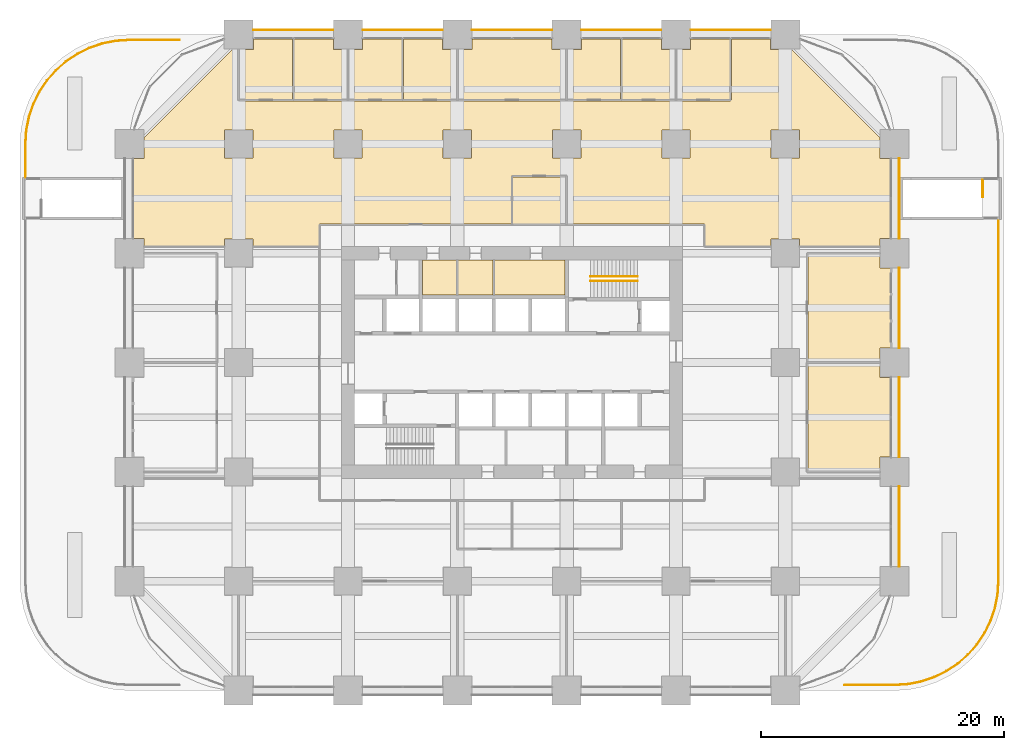
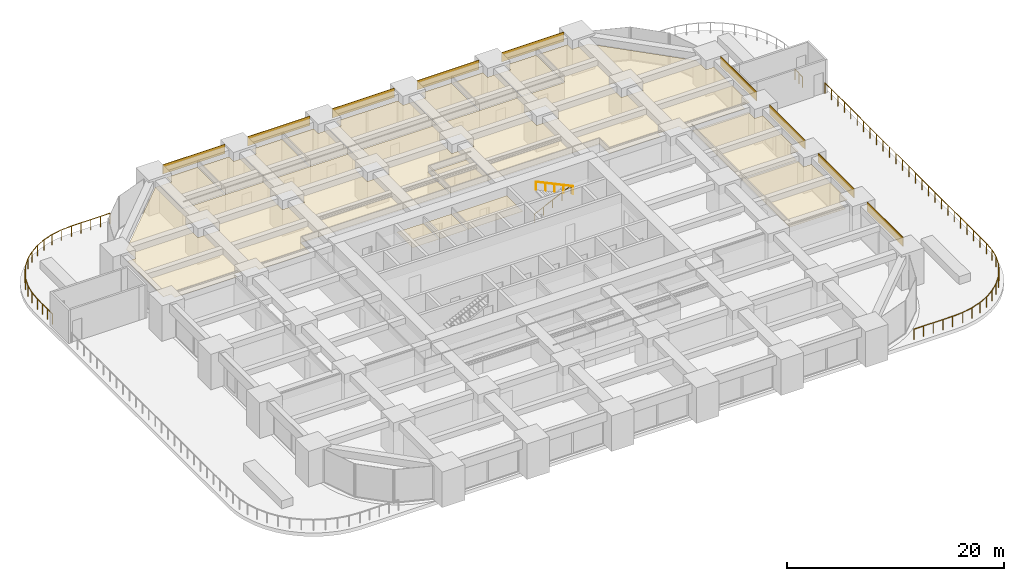
# One storey, part 37 of 38: 24 coverings, 6 railings.
"""IFC4 building model written with IfcOpenShell, lengths in metres."""

from ifc_helpers import new_model, si_unit, direction, frame, frame_2d, origin, origin_2d, place, context, subcontext, project, spatial, polyline, rectangle, circle, outline, extrude, material, layer, layer_set, type_object, element, save


model = new_model("IFC4")

# Units and contexts
model_context = context("Model", 3, precision=1e-05, world=origin(), true_north=direction((0.0, 1.0)))
body_context = subcontext(model_context, "Body", "Model", "MODEL_VIEW")
ifc_project = project(units=[si_unit("LENGTHUNIT", "METRE"), si_unit("AREAUNIT", "SQUARE_METRE"), si_unit("VOLUMEUNIT", "CUBIC_METRE"), si_unit("PLANEANGLEUNIT", "RADIAN"), si_unit("MASSUNIT", "GRAM", prefix="KILO")], contexts=[model_context])

# Site, building, storey
site_placement = place(None, origin())
site = spatial("IfcSite", under=ifc_project, at=site_placement, CompositionType="ELEMENT")
building_placement = place(site_placement, origin())
building = spatial("IfcBuilding", under=site, at=building_placement, Name="Zorevar Civic Tower", CompositionType="ELEMENT")
storey_placement = place(building_placement, frame((0.0, 0.0, 15.800048828125)))
storey = spatial("IfcBuildingStorey", under=building, at=storey_placement, Name="L03", CompositionType="ELEMENT", Elevation=15.800048828125)

# Railings
ifc_material_1 = material(Name="Black steel posts and laminated glass", Category="steel")
railing_type_1 = type_object("IfcRailingType", Name="Guard GR1 1200", PredefinedType="GUARDRAIL", material=ifc_material_1)
railing_1_placement = place(storey_placement, frame((-8.550048828125, 42.22509765625, 0.0)))
element("IfcRailing", 1, at=railing_1_placement, inside=storey, type_object=railing_type_1, Name="Guard GR1 L03", PredefinedType="GUARDRAIL", context=body_context, shape_type="SweptSolid", body=[
    extrude(circle(Radius=0.02392578125, at=origin_2d()), frame((0.0, 0.0, 1.17578125), z_axis=(0.0, 1.0, 0.0), x_axis=(-1.0, 0.0, 0.0)), (0.0, 0.0, 1.0), 2.76025390625),
    extrude(circle(Radius=0.02392578125, at=origin_2d()), frame((0.0, 2.76025390625, 1.17578125), z_axis=(0.065503586587, 0.997852333837, 0.0), x_axis=(-0.997852333837, 0.065503586587, 0.0)), (0.0, 0.0, 1.0), 1.133056640625),
    extrude(circle(Radius=0.02392578125, at=origin_2d()), frame((0.07421875, 3.890869140625, 1.17578125), z_axis=(0.194982288456, 0.980806763429, 0.0), x_axis=(-0.980806763429, 0.194982288456, 0.0)), (0.0, 0.0, 1.0), 1.1181640625),
    extrude(circle(Radius=0.02392578125, at=origin_2d()), frame((0.292236328125, 4.987548828125, 1.17578125), z_axis=(0.321593506374, 0.946877825624, 0.0), x_axis=(-0.946877825624, 0.321593506374, 0.0)), (0.0, 0.0, 1.0), 1.1181640625),
    extrude(circle(Radius=0.02392578125, at=origin_2d()), frame((0.65185546875, 6.04638671875, 1.17578125), z_axis=(0.442316540366, 0.896859006823, 0.0), x_axis=(-0.896859006823, 0.442316540366, 0.0)), (0.0, 0.0, 1.0), 1.1181640625),
    extrude(circle(Radius=0.02392578125, at=origin_2d()), frame((1.146484375, 7.04931640625, 1.17578125), z_axis=(0.555405337512, 0.831579768311, 0.0), x_axis=(-0.831579768311, 0.555405337512, 0.0)), (0.0, 0.0, 1.0), 1.1181640625),
    extrude(circle(Radius=0.02392578125, at=origin_2d()), frame((1.767578125, 7.979248046875, 1.17578125), z_axis=(0.659307936578, 0.751873024363, 0.0), x_axis=(-0.751873024363, 0.659307936578, 0.0)), (0.0, 0.0, 1.0), 1.118408203125),
    extrude(circle(Radius=0.02392578125, at=origin_2d()), frame((2.5048828125, 8.820068359375, 1.17578125), z_axis=(0.751873024363, 0.659307936578, 0.0), x_axis=(-0.659307936578, 0.751873024363, 0.0)), (0.0, 0.0, 1.0), 1.118408203125),
    extrude(circle(Radius=0.02392578125, at=origin_2d()), frame((3.345703125, 9.557373046875, 1.17578125), z_axis=(0.831579768311, 0.555405337512, 0.0), x_axis=(-0.555405337512, 0.831579768311, 0.0)), (0.0, 0.0, 1.0), 1.1181640625),
    extrude(circle(Radius=0.02392578125, at=origin_2d()), frame((4.275634765625, 10.178466796875, 1.17578125), z_axis=(0.896859006823, 0.442316540366, 0.0), x_axis=(-0.442316540366, 0.896859006823, 0.0)), (0.0, 0.0, 1.0), 1.1181640625),
    extrude(circle(Radius=0.02392578125, at=origin_2d()), frame((5.278564453125, 10.673095703125, 1.17578125), z_axis=(0.946877825624, 0.321593506374, 0.0), x_axis=(-0.321593506374, 0.946877825624, 0.0)), (0.0, 0.0, 1.0), 1.1181640625),
    extrude(circle(Radius=0.02392578125, at=origin_2d()), frame((6.33740234375, 11.03271484375, 1.17578125), z_axis=(0.980806763429, 0.194982288456, 0.0), x_axis=(-0.194982288456, 0.980806763429, 0.0)), (0.0, 0.0, 1.0), 1.1181640625),
    extrude(circle(Radius=0.02392578125, at=origin_2d()), frame((7.43408203125, 11.250732421875, 1.17578125), z_axis=(0.997852333837, 0.065503586587, 0.0), x_axis=(-0.065503586587, 0.997852333837, 0.0)), (0.0, 0.0, 1.0), 1.133056640625),
    extrude(circle(Radius=0.02392578125, at=origin_2d()), frame((8.564697265625, 11.324951171875, 1.17578125), z_axis=(1.0, 0.0, 0.0), x_axis=(0.0, 1.0, 0.0)), (0.0, 0.0, 1.0), 4.09619140625),
    extrude(circle(Radius=0.02099609375, at=origin_2d()), origin(), (0.0, 0.0, 1.0), 1.15185546875),
    extrude(circle(Radius=0.02099609375, at=origin_2d()), frame((0.0, 0.920166015625, 0.0)), (0.0, 0.0, 1.0), 1.15185546875),
    extrude(circle(Radius=0.02099609375, at=origin_2d()), frame((0.0, 1.840087890625, 0.0)), (0.0, 0.0, 1.0), 1.15185546875),
    extrude(circle(Radius=0.02099609375, at=origin_2d()), frame((0.0, 2.76025390625, 0.0)), (0.0, 0.0, 1.0), 1.15185546875),
    extrude(circle(Radius=0.02099609375, at=origin_2d()), frame((0.07421875, 3.890869140625, 0.0)), (0.0, 0.0, 1.0), 1.15185546875),
    extrude(circle(Radius=0.02099609375, at=origin_2d()), frame((0.292236328125, 4.987548828125, 0.0)), (0.0, 0.0, 1.0), 1.15185546875),
    extrude(circle(Radius=0.02099609375, at=origin_2d()), frame((0.65185546875, 6.04638671875, 0.0)), (0.0, 0.0, 1.0), 1.15185546875),
    extrude(circle(Radius=0.02099609375, at=origin_2d()), frame((1.146484375, 7.04931640625, 0.0)), (0.0, 0.0, 1.0), 1.15185546875),
    extrude(circle(Radius=0.02099609375, at=origin_2d()), frame((1.767578125, 7.979248046875, 0.0)), (0.0, 0.0, 1.0), 1.15185546875),
    extrude(circle(Radius=0.02099609375, at=origin_2d()), frame((2.5048828125, 8.820068359375, 0.0)), (0.0, 0.0, 1.0), 1.15185546875),
    extrude(circle(Radius=0.02099609375, at=origin_2d()), frame((3.345703125, 9.557373046875, 0.0)), (0.0, 0.0, 1.0), 1.15185546875),
    extrude(circle(Radius=0.02099609375, at=origin_2d()), frame((4.275634765625, 10.178466796875, 0.0)), (0.0, 0.0, 1.0), 1.15185546875),
    extrude(circle(Radius=0.02099609375, at=origin_2d()), frame((5.278564453125, 10.673095703125, 0.0)), (0.0, 0.0, 1.0), 1.15185546875),
    extrude(circle(Radius=0.02099609375, at=origin_2d()), frame((6.33740234375, 11.03271484375, 0.0)), (0.0, 0.0, 1.0), 1.15185546875),
    extrude(circle(Radius=0.02099609375, at=origin_2d()), frame((7.43408203125, 11.250732421875, 0.0)), (0.0, 0.0, 1.0), 1.15185546875),
    extrude(circle(Radius=0.02099609375, at=origin_2d()), frame((8.564697265625, 11.324951171875, 0.0)), (0.0, 0.0, 1.0), 1.15185546875),
    extrude(circle(Radius=0.02099609375, at=origin_2d()), frame((9.5888671875, 11.324951171875, 0.0)), (0.0, 0.0, 1.0), 1.15185546875),
    extrude(circle(Radius=0.02099609375, at=origin_2d()), frame((10.61279296875, 11.324951171875, 0.0)), (0.0, 0.0, 1.0), 1.15185546875),
    extrude(circle(Radius=0.02099609375, at=origin_2d()), frame((11.63671875, 11.324951171875, 0.0)), (0.0, 0.0, 1.0), 1.15185546875),
    extrude(circle(Radius=0.02099609375, at=origin_2d()), frame((12.660888671875, 11.324951171875, 0.0)), (0.0, 0.0, 1.0), 1.15185546875),
])
railing_2_placement = place(storey_placement, frame((71.550048828125, 38.77490234375, 0.0)))
element("IfcRailing", 2, at=railing_2_placement, inside=storey, type_object=railing_type_1, Name="Guard GR1 L03", PredefinedType="GUARDRAIL", context=body_context, shape_type="SweptSolid", body=[
    extrude(circle(Radius=0.02392578125, at=origin_2d()), frame((0.0, 0.0, 1.17578125), z_axis=(0.0, -1.0, 0.0), x_axis=(1.0, 0.0, 0.0)), (0.0, 0.0, 1.0), 29.76025390625),
    extrude(circle(Radius=0.02392578125, at=origin_2d()), frame((0.0, -29.76025390625, 1.17578125), z_axis=(-0.065503586587, -0.997852333837, 0.0), x_axis=(0.997852333837, -0.065503586587, 0.0)), (0.0, 0.0, 1.0), 1.133056640625),
    extrude(circle(Radius=0.02099609375, at=origin_2d()), origin(), (0.0, 0.0, 1.0), 1.15185546875),
    extrude(circle(Radius=0.02099609375, at=origin_2d()), frame((0.0, -1.1904296875, 0.0)), (0.0, 0.0, 1.0), 1.15185546875),
    extrude(circle(Radius=0.02099609375, at=origin_2d()), frame((0.0, -2.380859375, 0.0)), (0.0, 0.0, 1.0), 1.15185546875),
    extrude(circle(Radius=0.02099609375, at=origin_2d()), frame((0.0, -3.5712890625, 0.0)), (0.0, 0.0, 1.0), 1.15185546875),
    extrude(circle(Radius=0.02099609375, at=origin_2d()), frame((0.0, -4.76171875, 0.0)), (0.0, 0.0, 1.0), 1.15185546875),
    extrude(circle(Radius=0.02099609375, at=origin_2d()), frame((0.0, -5.9521484375, 0.0)), (0.0, 0.0, 1.0), 1.15185546875),
    extrude(circle(Radius=0.02099609375, at=origin_2d()), frame((0.0, -7.142578125, 0.0)), (0.0, 0.0, 1.0), 1.15185546875),
    extrude(circle(Radius=0.02099609375, at=origin_2d()), frame((0.0, -8.332763671875, 0.0)), (0.0, 0.0, 1.0), 1.15185546875),
    extrude(circle(Radius=0.02099609375, at=origin_2d()), frame((0.0, -9.523193359375, 0.0)), (0.0, 0.0, 1.0), 1.15185546875),
    extrude(circle(Radius=0.02099609375, at=origin_2d()), frame((0.0, -10.713623046875, 0.0)), (0.0, 0.0, 1.0), 1.15185546875),
    extrude(circle(Radius=0.02099609375, at=origin_2d()), frame((0.0, -11.904052734375, 0.0)), (0.0, 0.0, 1.0), 1.15185546875),
    extrude(circle(Radius=0.02099609375, at=origin_2d()), frame((0.0, -13.094482421875, 0.0)), (0.0, 0.0, 1.0), 1.15185546875),
    extrude(circle(Radius=0.02099609375, at=origin_2d()), frame((0.0, -14.284912109375, 0.0)), (0.0, 0.0, 1.0), 1.15185546875),
    extrude(circle(Radius=0.02099609375, at=origin_2d()), frame((0.0, -15.475341796875, 0.0)), (0.0, 0.0, 1.0), 1.15185546875),
    extrude(circle(Radius=0.02099609375, at=origin_2d()), frame((0.0, -16.665771484375, 0.0)), (0.0, 0.0, 1.0), 1.15185546875),
    extrude(circle(Radius=0.02099609375, at=origin_2d()), frame((0.0, -17.856201171875, 0.0)), (0.0, 0.0, 1.0), 1.15185546875),
    extrude(circle(Radius=0.02099609375, at=origin_2d()), frame((0.0, -19.046630859375, 0.0)), (0.0, 0.0, 1.0), 1.15185546875),
    extrude(circle(Radius=0.02099609375, at=origin_2d()), frame((0.0, -20.237060546875, 0.0)), (0.0, 0.0, 1.0), 1.15185546875),
    extrude(circle(Radius=0.02099609375, at=origin_2d()), frame((0.0, -21.427490234375, 0.0)), (0.0, 0.0, 1.0), 1.15185546875),
    extrude(circle(Radius=0.02099609375, at=origin_2d()), frame((0.0, -22.61767578125, 0.0)), (0.0, 0.0, 1.0), 1.15185546875),
    extrude(circle(Radius=0.02099609375, at=origin_2d()), frame((0.0, -23.80810546875, 0.0)), (0.0, 0.0, 1.0), 1.15185546875),
    extrude(circle(Radius=0.02099609375, at=origin_2d()), frame((0.0, -24.99853515625, 0.0)), (0.0, 0.0, 1.0), 1.15185546875),
    extrude(circle(Radius=0.02099609375, at=origin_2d()), frame((0.0, -26.18896484375, 0.0)), (0.0, 0.0, 1.0), 1.15185546875),
    extrude(circle(Radius=0.02099609375, at=origin_2d()), frame((0.0, -27.37939453125, 0.0)), (0.0, 0.0, 1.0), 1.15185546875),
    extrude(circle(Radius=0.02099609375, at=origin_2d()), frame((0.0, -28.56982421875, 0.0)), (0.0, 0.0, 1.0), 1.15185546875),
    extrude(circle(Radius=0.02099609375, at=origin_2d()), frame((0.0, -29.76025390625, 0.0)), (0.0, 0.0, 1.0), 1.15185546875),
    extrude(circle(Radius=0.02099609375, at=origin_2d()), frame((-0.07421875, -30.890869140625, 0.0)), (0.0, 0.0, 1.0), 1.15185546875),
])
railing_3_placement = place(storey_placement, frame((71.475830078125, 7.884033203125, 0.0)))
element("IfcRailing", 3, at=railing_3_placement, inside=storey, type_object=railing_type_1, Name="Guard GR1 L03", PredefinedType="GUARDRAIL", context=body_context, shape_type="SweptSolid", body=[
    extrude(circle(Radius=0.02392578125, at=origin_2d()), frame((0.0, 0.0, 1.17578125), z_axis=(-0.194982288456, -0.980806763429, 0.0), x_axis=(0.980806763429, -0.194982288456, 0.0)), (0.0, 0.0, 1.0), 1.1181640625),
    extrude(circle(Radius=0.02392578125, at=origin_2d()), frame((-0.218017578125, -1.0966796875, 1.17578125), z_axis=(-0.321593506374, -0.946877825624, 0.0), x_axis=(0.946877825624, -0.321593506374, 0.0)), (0.0, 0.0, 1.0), 1.1181640625),
    extrude(circle(Radius=0.02392578125, at=origin_2d()), frame((-0.57763671875, -2.155517578125, 1.17578125), z_axis=(-0.442316540366, -0.896859006823, 0.0), x_axis=(0.896859006823, -0.442316540366, 0.0)), (0.0, 0.0, 1.0), 1.1181640625),
    extrude(circle(Radius=0.02392578125, at=origin_2d()), frame((-1.072265625, -3.158447265625, 1.17578125), z_axis=(-0.555405337512, -0.831579768311, 0.0), x_axis=(0.831579768311, -0.555405337512, 0.0)), (0.0, 0.0, 1.0), 1.1181640625),
    extrude(circle(Radius=0.02392578125, at=origin_2d()), frame((-1.693359375, -4.08837890625, 1.17578125), z_axis=(-0.659307936578, -0.751873024363, 0.0), x_axis=(0.751873024363, -0.659307936578, 0.0)), (0.0, 0.0, 1.0), 1.118408203125),
    extrude(circle(Radius=0.02392578125, at=origin_2d()), frame((-2.4306640625, -4.92919921875, 1.17578125), z_axis=(-0.751873024363, -0.659307936578, 0.0), x_axis=(0.659307936578, -0.751873024363, 0.0)), (0.0, 0.0, 1.0), 1.118408203125),
    extrude(circle(Radius=0.02392578125, at=origin_2d()), frame((-3.271484375, -5.66650390625, 1.17578125), z_axis=(-0.831579768311, -0.555405337512, 0.0), x_axis=(0.555405337512, -0.831579768311, 0.0)), (0.0, 0.0, 1.0), 1.1181640625),
    extrude(circle(Radius=0.02392578125, at=origin_2d()), frame((-4.201416015625, -6.28759765625, 1.17578125), z_axis=(-0.896859006823, -0.442316540366, 0.0), x_axis=(0.442316540366, -0.896859006823, 0.0)), (0.0, 0.0, 1.0), 1.1181640625),
    extrude(circle(Radius=0.02392578125, at=origin_2d()), frame((-5.204345703125, -6.7822265625, 1.17578125), z_axis=(-0.946877825624, -0.321593506374, 0.0), x_axis=(0.321593506374, -0.946877825624, 0.0)), (0.0, 0.0, 1.0), 1.1181640625),
    extrude(circle(Radius=0.02392578125, at=origin_2d()), frame((-6.26318359375, -7.141845703125, 1.17578125), z_axis=(-0.980806763429, -0.194982288456, 0.0), x_axis=(0.194982288456, -0.980806763429, 0.0)), (0.0, 0.0, 1.0), 1.1181640625),
    extrude(circle(Radius=0.02392578125, at=origin_2d()), frame((-7.35986328125, -7.35986328125, 1.17578125), z_axis=(-0.997852333837, -0.065503586587, 0.0), x_axis=(0.065503586587, -0.997852333837, 0.0)), (0.0, 0.0, 1.0), 1.133056640625),
    extrude(circle(Radius=0.02392578125, at=origin_2d()), frame((-8.490478515625, -7.43408203125, 1.17578125), z_axis=(-1.0, 0.0, 0.0), x_axis=(0.0, -1.0, 0.0)), (0.0, 0.0, 1.0), 4.09619140625),
    extrude(circle(Radius=0.02099609375, at=origin_2d()), origin(), (0.0, 0.0, 1.0), 1.15185546875),
    extrude(circle(Radius=0.02099609375, at=origin_2d()), frame((-0.218017578125, -1.0966796875, 0.0)), (0.0, 0.0, 1.0), 1.15185546875),
    extrude(circle(Radius=0.02099609375, at=origin_2d()), frame((-0.57763671875, -2.155517578125, 0.0)), (0.0, 0.0, 1.0), 1.15185546875),
    extrude(circle(Radius=0.02099609375, at=origin_2d()), frame((-1.072265625, -3.158447265625, 0.0)), (0.0, 0.0, 1.0), 1.15185546875),
    extrude(circle(Radius=0.02099609375, at=origin_2d()), frame((-1.693359375, -4.08837890625, 0.0)), (0.0, 0.0, 1.0), 1.15185546875),
    extrude(circle(Radius=0.02099609375, at=origin_2d()), frame((-2.4306640625, -4.92919921875, 0.0)), (0.0, 0.0, 1.0), 1.15185546875),
    extrude(circle(Radius=0.02099609375, at=origin_2d()), frame((-3.271484375, -5.66650390625, 0.0)), (0.0, 0.0, 1.0), 1.15185546875),
    extrude(circle(Radius=0.02099609375, at=origin_2d()), frame((-4.201416015625, -6.28759765625, 0.0)), (0.0, 0.0, 1.0), 1.15185546875),
    extrude(circle(Radius=0.02099609375, at=origin_2d()), frame((-5.204345703125, -6.7822265625, 0.0)), (0.0, 0.0, 1.0), 1.15185546875),
    extrude(circle(Radius=0.02099609375, at=origin_2d()), frame((-6.26318359375, -7.141845703125, 0.0)), (0.0, 0.0, 1.0), 1.15185546875),
    extrude(circle(Radius=0.02099609375, at=origin_2d()), frame((-7.35986328125, -7.35986328125, 0.0)), (0.0, 0.0, 1.0), 1.15185546875),
    extrude(circle(Radius=0.02099609375, at=origin_2d()), frame((-8.490478515625, -7.43408203125, 0.0)), (0.0, 0.0, 1.0), 1.15185546875),
    extrude(circle(Radius=0.02099609375, at=origin_2d()), frame((-9.5146484375, -7.43408203125, 0.0)), (0.0, 0.0, 1.0), 1.15185546875),
    extrude(circle(Radius=0.02099609375, at=origin_2d()), frame((-10.53857421875, -7.43408203125, 0.0)), (0.0, 0.0, 1.0), 1.15185546875),
    extrude(circle(Radius=0.02099609375, at=origin_2d()), frame((-11.5625, -7.43408203125, 0.0)), (0.0, 0.0, 1.0), 1.15185546875),
    extrude(circle(Radius=0.02099609375, at=origin_2d()), frame((-12.586669921875, -7.43408203125, 0.0)), (0.0, 0.0, 1.0), 1.15185546875),
])
ifc_material_2 = material(Name="Black steel handrail", Category="steel")
railing_type_2 = type_object("IfcRailingType", Name="Handrail HR1 900", PredefinedType="HANDRAIL", material=ifc_material_2)
railing_4_placement = place(storey_placement, frame((37.949951171875, 34.074951171875, 0.142822265625)))
element("IfcRailing", 4, at=railing_4_placement, inside=storey, type_object=railing_type_2, Name="Handrail HR1 ST2 L03", PredefinedType="HANDRAIL", context=body_context, shape_type="SweptSolid", body=[
    extrude(circle(Radius=0.02392578125, at=origin_2d()), frame((0.0, 0.0, 0.8759765625), z_axis=(0.902863652845, 0.0, 0.429926998885), x_axis=(0.0, 1.0, 0.0)), (0.0, 0.0, 1.0), 4.31982421875),
    extrude(circle(Radius=0.02099609375, at=origin_2d()), origin(), (0.0, 0.0, 1.0), 0.851806640625),
    extrude(circle(Radius=0.02099609375, at=origin_2d()), frame((0.97509765625, 0.0, 0.46435546875)), (0.0, 0.0, 1.0), 0.851806640625),
    extrude(circle(Radius=0.02099609375, at=origin_2d()), frame((1.9501953125, 0.0, 0.9287109375)), (0.0, 0.0, 1.0), 0.851806640625),
    extrude(circle(Radius=0.02099609375, at=origin_2d()), frame((2.925048828125, 0.0, 1.392822265625)), (0.0, 0.0, 1.0), 0.851806640625),
    extrude(circle(Radius=0.02099609375, at=origin_2d()), frame((3.900146484375, 0.0, 1.857177734375)), (0.0, 0.0, 1.0), 0.851806640625),
])
railing_5_placement = place(storey_placement, frame((41.85009765625, 33.72509765625, 2.142822265625)))
element("IfcRailing", 5, at=railing_5_placement, inside=storey, type_object=railing_type_2, Name="Handrail HR1 ST2 L03", PredefinedType="HANDRAIL", context=body_context, shape_type="SweptSolid", body=[
    extrude(circle(Radius=0.02392578125, at=origin_2d()), frame((0.0, 0.0, 0.8759765625), z_axis=(-0.902863652845, 0.0, 0.429926998885), x_axis=(0.0, -1.0, 0.0)), (0.0, 0.0, 1.0), 4.31982421875),
    extrude(circle(Radius=0.02099609375, at=origin_2d()), origin(), (0.0, 0.0, 1.0), 0.851806640625),
    extrude(circle(Radius=0.02099609375, at=origin_2d()), frame((-0.97509765625, 0.0, 0.46435546875)), (0.0, 0.0, 1.0), 0.851806640625),
    extrude(circle(Radius=0.02099609375, at=origin_2d()), frame((-1.9501953125, 0.0, 0.9287109375)), (0.0, 0.0, 1.0), 0.851806640625),
    extrude(circle(Radius=0.02099609375, at=origin_2d()), frame((-2.925048828125, 0.0, 1.392822265625)), (0.0, 0.0, 1.0), 0.851806640625),
    extrude(circle(Radius=0.02099609375, at=origin_2d()), frame((-3.900146484375, 0.0, 1.857177734375)), (0.0, 0.0, 1.0), 0.851806640625),
])

# Coverings
ifc_material_3 = material(Name="Moisture-resistant gypsum board")
ifc_layer_1 = layer(ifc_material_3, 0.012451171875)
ifc_layer_set_1 = layer_set([ifc_layer_1], Name="Moisture-resistant ceiling SC3")
covering_type_1 = type_object("IfcCoveringType", Name="Moisture-resistant ceiling SC3", PredefinedType="CEILING", material=ifc_layer_set_1)
covering_1_placement = place(storey_placement, frame((0.0, 0.0, 3.0)))
element("IfcCovering", 6, at=covering_1_placement, inside=storey, type_object=covering_type_1, Name="Ceiling L03-10", PredefinedType="CEILING", context=body_context, shape_type="SweptSolid", body=[
    extrude(outline(polyline([(26.925048828125, 32.550048828125), (26.925048828125, 35.449951171875), (24.14990234375, 35.449951171875), (24.14990234375, 32.550048828125), (26.925048828125, 32.550048828125)])), origin(), (0.0, 0.0, 1.0), 0.012451171875),
])
ifc_material_4 = material(Name="Black anodised aluminium spandrel panel", Category="aluminium")
ifc_layer_2 = layer(ifc_material_4, 0.050048828125)
ifc_layer_set_2 = layer_set([ifc_layer_2], Name="Spandrel cladding SP1")
covering_type_2 = type_object("IfcCoveringType", Name="Spandrel cladding SP1", PredefinedType="CLADDING", material=ifc_layer_set_2)
for number, where, z_axis, x_axis, name in (
    (7, (10.199951171875, 54.375, 2.949951171875), (0.0, 0.0, 1.0), (1.0, 0.0, 0.0), "Spandrel cladding L04"),
    (8, (19.199951171875, 54.375, 2.949951171875), (0.0, 0.0, 1.0), (1.0, 0.0, 0.0), "Spandrel cladding L04"),
    (9, (28.199951171875, 54.375, 2.949951171875), (0.0, 0.0, 1.0), (1.0, 0.0, 0.0), "Spandrel cladding L04"),
    (10, (37.199951171875, 54.375, 2.949951171875), (0.0, 0.0, 1.0), (1.0, 0.0, 0.0), "Spandrel cladding L04"),
    (11, (46.199951171875, 54.375, 2.949951171875), (0.0, 0.0, 1.0), (1.0, 0.0, 0.0), "Spandrel cladding L04"),
    (12, (63.375, 10.199951171875, 2.949951171875), (0.0, 0.0, 1.0), (0.0, 1.0, 0.0), "Spandrel cladding L04"),
    (13, (63.375, 19.199951171875, 2.949951171875), (0.0, 0.0, 1.0), (0.0, 1.0, 0.0), "Spandrel cladding L04"),
    (14, (63.375, 28.199951171875, 2.949951171875), (0.0, 0.0, 1.0), (0.0, 1.0, 0.0), "Spandrel cladding L04"),
    (15, (63.375, 37.199951171875, 2.949951171875), (0.0, 0.0, 1.0), (0.0, 1.0, 0.0), "Spandrel cladding L04"),
):
    element("IfcCovering", number, at=place(storey_placement, frame(where, z_axis=z_axis, x_axis=x_axis)), inside=storey, type_object=covering_type_2, Name=name, PredefinedType="CLADDING", context=body_context, shape_type="SweptSolid", body=[
        extrude(rectangle(XDim=6.60009765625, YDim=0.050048828125, at=frame_2d((3.300048828125, 0.0))), origin(), (0.0, 0.0, 1.0), 1.050048828125),
    ])

# Railing
ifc_material_5 = material(Name="Black steel guard with infill bars", Category="steel")
railing_type_3 = type_object("IfcRailingType", Name="Stair guard GR2 1200", PredefinedType="GUARDRAIL", material=ifc_material_5)
railing_6_placement = place(storey_placement, frame((70.25, 42.02490234375, 0.0)))
element("IfcRailing", 16, at=railing_6_placement, inside=storey, type_object=railing_type_3, Name="Stair guard PS2 L03", PredefinedType="GUARDRAIL", context=body_context, shape_type="SweptSolid", body=[
    extrude(circle(Radius=0.02392578125, at=origin_2d()), frame((0.0, 0.0, 1.17578125), z_axis=(0.0, -1.0, 0.0), x_axis=(1.0, 0.0, 0.0)), (0.0, 0.0, 1.0), 1.39990234375),
    extrude(circle(Radius=0.02099609375, at=origin_2d()), origin(), (0.0, 0.0, 1.0), 1.15185546875),
    extrude(circle(Radius=0.02099609375, at=origin_2d()), frame((0.0, -0.699951171875, 0.0)), (0.0, 0.0, 1.0), 1.15185546875),
    extrude(circle(Radius=0.02099609375, at=origin_2d()), frame((0.0, -1.39990234375, 0.0)), (0.0, 0.0, 1.0), 1.15185546875),
])

# Coverings
ifc_material_6 = material(Name="Mineral fibre tiles on a concealed grid")
ifc_layer_3 = layer(ifc_material_6, 0.02001953125)
ifc_layer_set_3 = layer_set([ifc_layer_3], Name="Suspended ceiling SC1")
covering_type_3 = type_object("IfcCoveringType", Name="Suspended ceiling SC1", PredefinedType="CEILING", material=ifc_layer_set_3)
covering_2_placement = place(storey_placement, frame((0.0, 0.0, 3.0)))
element("IfcCovering", 17, at=covering_2_placement, inside=storey, type_object=covering_type_3, Name="Ceiling L03-08", PredefinedType="CEILING", context=body_context, shape_type="SweptSolid", body=[
    extrude(outline(polyline([(35.85009765625, 32.550048828125), (35.85009765625, 35.449951171875), (30.06005859375, 35.449951171875), (30.06005859375, 32.550048828125), (35.85009765625, 32.550048828125)])), origin(), (0.0, 0.0, 1.0), 0.02001953125),
])
covering_3_placement = place(storey_placement, frame((0.0, 0.0, 3.0)))
element("IfcCovering", 18, at=covering_3_placement, inside=storey, type_object=covering_type_3, Name="Ceiling L03-09", PredefinedType="CEILING", context=body_context, shape_type="SweptSolid", body=[
    extrude(outline(polyline([(29.93994140625, 32.550048828125), (29.93994140625, 35.449951171875), (27.074951171875, 35.449951171875), (27.074951171875, 32.550048828125), (29.93994140625, 32.550048828125)])), origin(), (0.0, 0.0, 1.0), 0.02001953125),
])
covering_4_placement = place(storey_placement, frame((0.0, 0.0, 3.0)))
element("IfcCovering", 19, at=covering_4_placement, inside=storey, type_object=covering_type_3, Name="Ceiling L03-21", PredefinedType="CEILING", context=body_context, shape_type="SweptSolid", body=[
    extrude(outline(polyline([(62.64990234375, 19.2099609375), (61.7900390625, 19.2099609375), (61.7900390625, 18.06005859375), (55.860107421875, 18.06005859375), (55.860107421875, 26.93994140625), (61.7900390625, 26.93994140625), (61.7900390625, 25.7900390625), (62.64990234375, 25.7900390625), (62.64990234375, 19.2099609375)])), origin(), (0.0, 0.0, 1.0), 0.02001953125),
])
covering_5_placement = place(storey_placement, frame((0.0, 0.0, 3.0)))
element("IfcCovering", 20, at=covering_5_placement, inside=storey, type_object=covering_type_3, Name="Ceiling L03-22", PredefinedType="CEILING", context=body_context, shape_type="SweptSolid", body=[
    extrude(outline(polyline([(62.64990234375, 28.2099609375), (61.7900390625, 28.2099609375), (61.7900390625, 27.06005859375), (55.85009765625, 27.06005859375), (55.85009765625, 35.949951171875), (61.7900390625, 35.949951171875), (61.7900390625, 34.7900390625), (62.64990234375, 34.7900390625), (62.64990234375, 28.2099609375)])), origin(), (0.0, 0.0, 1.0), 0.02001953125),
])
covering_6_placement = place(storey_placement, frame((0.0, 0.0, 3.0)))
element("IfcCovering", 21, at=covering_6_placement, inside=storey, type_object=covering_type_3, Name="Ceiling L03-25", PredefinedType="CEILING", context=body_context, shape_type="SweptSolid", body=[
    extrude(outline(polyline([(9.06005859375, 48.659912109375), (9.06005859375, 52.7900390625), (10.2099609375, 52.7900390625), (10.2099609375, 53.64990234375), (13.43994140625, 53.64990234375), (13.43994140625, 48.659912109375), (9.06005859375, 48.659912109375)])), origin(), (0.0, 0.0, 1.0), 0.02001953125),
])
covering_7_placement = place(storey_placement, frame((0.0, 0.0, 3.0)))
element("IfcCovering", 22, at=covering_7_placement, inside=storey, type_object=covering_type_3, Name="Ceiling L03-26", PredefinedType="CEILING", context=body_context, shape_type="SweptSolid", body=[
    extrude(outline(polyline([(13.56005859375, 48.659912109375), (13.56005859375, 53.64990234375), (16.7900390625, 53.64990234375), (16.7900390625, 52.7900390625), (17.93994140625, 52.7900390625), (17.93994140625, 48.659912109375), (13.56005859375, 48.659912109375)])), origin(), (0.0, 0.0, 1.0), 0.02001953125),
])
covering_8_placement = place(storey_placement, frame((0.0, 0.0, 3.0)))
element("IfcCovering", 23, at=covering_8_placement, inside=storey, type_object=covering_type_3, Name="Ceiling L03-27", PredefinedType="CEILING", context=body_context, shape_type="SweptSolid", body=[
    extrude(outline(polyline([(18.06005859375, 48.659912109375), (18.06005859375, 52.7900390625), (19.2099609375, 52.7900390625), (19.2099609375, 53.64990234375), (22.43994140625, 53.64990234375), (22.43994140625, 48.659912109375), (18.06005859375, 48.659912109375)])), origin(), (0.0, 0.0, 1.0), 0.02001953125),
])
covering_9_placement = place(storey_placement, frame((0.0, 0.0, 3.0)))
element("IfcCovering", 24, at=covering_9_placement, inside=storey, type_object=covering_type_3, Name="Ceiling L03-28", PredefinedType="CEILING", context=body_context, shape_type="SweptSolid", body=[
    extrude(outline(polyline([(22.56005859375, 48.659912109375), (22.56005859375, 53.64990234375), (25.7900390625, 53.64990234375), (25.7900390625, 52.7900390625), (26.93994140625, 52.7900390625), (26.93994140625, 48.659912109375), (22.56005859375, 48.659912109375)])), origin(), (0.0, 0.0, 1.0), 0.02001953125),
])
covering_10_placement = place(storey_placement, frame((0.0, 0.0, 3.0)))
element("IfcCovering", 25, at=covering_10_placement, inside=storey, type_object=covering_type_3, Name="Ceiling L03-29", PredefinedType="CEILING", context=body_context, shape_type="SweptSolid", body=[
    extrude(outline(polyline([(28.2099609375, 52.7900390625), (28.2099609375, 53.64990234375), (34.7900390625, 53.64990234375), (34.7900390625, 52.7900390625), (35.93994140625, 52.7900390625), (35.93994140625, 48.659912109375), (27.06005859375, 48.659912109375), (27.06005859375, 52.7900390625), (28.2099609375, 52.7900390625)])), origin(), (0.0, 0.0, 1.0), 0.02001953125),
])
covering_11_placement = place(storey_placement, frame((0.0, 0.0, 3.0)))
element("IfcCovering", 26, at=covering_11_placement, inside=storey, type_object=covering_type_3, Name="Ceiling L03-30", PredefinedType="CEILING", context=body_context, shape_type="SweptSolid", body=[
    extrude(outline(polyline([(36.06005859375, 48.659912109375), (36.06005859375, 52.7900390625), (37.2099609375, 52.7900390625), (37.2099609375, 53.64990234375), (40.43994140625, 53.64990234375), (40.43994140625, 48.659912109375), (36.06005859375, 48.659912109375)])), origin(), (0.0, 0.0, 1.0), 0.02001953125),
])
covering_12_placement = place(storey_placement, frame((0.0, 0.0, 3.0)))
element("IfcCovering", 27, at=covering_12_placement, inside=storey, type_object=covering_type_3, Name="Ceiling L03-31", PredefinedType="CEILING", context=body_context, shape_type="SweptSolid", body=[
    extrude(outline(polyline([(40.56005859375, 48.659912109375), (40.56005859375, 53.64990234375), (43.7900390625, 53.64990234375), (43.7900390625, 52.7900390625), (44.93994140625, 52.7900390625), (44.93994140625, 48.659912109375), (40.56005859375, 48.659912109375)])), origin(), (0.0, 0.0, 1.0), 0.02001953125),
])
covering_13_placement = place(storey_placement, frame((0.0, 0.0, 3.0)))
element("IfcCovering", 28, at=covering_13_placement, inside=storey, type_object=covering_type_3, Name="Ceiling L03-32", PredefinedType="CEILING", context=body_context, shape_type="SweptSolid", body=[
    extrude(outline(polyline([(45.06005859375, 48.659912109375), (45.06005859375, 52.7900390625), (46.2099609375, 52.7900390625), (46.2099609375, 53.64990234375), (49.43994140625, 53.64990234375), (49.43994140625, 48.659912109375), (45.06005859375, 48.659912109375)])), origin(), (0.0, 0.0, 1.0), 0.02001953125),
])
covering_14_placement = place(storey_placement, frame((0.0, 0.0, 3.0)))
element("IfcCovering", 29, at=covering_14_placement, inside=storey, type_object=covering_type_3, Name="Ceiling L03-33", PredefinedType="CEILING", context=body_context, shape_type="SweptSolid", body=[
    extrude(outline(polyline([(35.93994140625, 42.2900390625), (35.93994140625, 38.409912109375), (31.56005859375, 38.409912109375), (31.56005859375, 42.2900390625), (35.93994140625, 42.2900390625)])), origin(), (0.0, 0.0, 1.0), 0.02001953125),
])
covering_15_placement = place(storey_placement, frame((0.0, 0.0, 3.0)))
element("IfcCovering", 30, at=covering_15_placement, inside=storey, type_object=covering_type_3, Name="Ceiling L03-38", PredefinedType="CEILING", context=body_context, shape_type="SweptSolid", body=[
    extrude(outline(polyline([(62.64990234375, 43.7900390625), (62.64990234375, 37.2099609375), (61.7900390625, 37.2099609375), (61.7900390625, 36.60009765625), (55.159912109375, 36.60009765625), (55.159912109375, 37.159912109375), (52.840087890625, 37.159912109375), (52.840087890625, 36.60009765625), (47.39990234375, 36.60009765625), (47.39990234375, 38.35009765625), (47.35009765625, 38.35009765625), (47.35009765625, 38.39990234375), (36.06005859375, 38.39990234375), (36.06005859375, 42.35009765625), (36.0, 42.35009765625), (36.0, 42.409912109375), (31.5, 42.409912109375), (31.5, 42.35009765625), (31.43994140625, 42.35009765625), (31.43994140625, 38.39990234375), (15.64990234375, 38.39990234375), (15.64990234375, 38.35009765625), (15.60009765625, 38.35009765625), (15.60009765625, 36.60009765625), (10.159912109375, 36.60009765625), (10.159912109375, 37.159912109375), (7.840087890625, 37.159912109375), (7.840087890625, 36.60009765625), (1.2099609375, 36.60009765625), (1.2099609375, 37.2099609375), (0.35009765625, 37.2099609375), (0.35009765625, 43.7900390625), (1.2099609375, 43.7900390625), (1.2099609375, 45.5029296875), (8.4970703125, 52.7900390625), (8.93994140625, 52.7900390625), (8.93994140625, 48.60009765625), (9.0, 48.60009765625), (9.0, 48.5400390625), (49.5, 48.5400390625), (49.5, 48.60009765625), (49.56005859375, 48.60009765625), (49.56005859375, 53.64990234375), (52.7900390625, 53.64990234375), (52.7900390625, 52.7900390625), (54.5029296875, 52.7900390625), (61.7900390625, 45.5029296875), (61.7900390625, 43.7900390625), (62.64990234375, 43.7900390625)]), holes=[polyline([(10.159912109375, 46.159912109375), (7.840087890625, 46.159912109375), (7.840087890625, 43.840087890625), (10.159912109375, 43.840087890625), (10.159912109375, 46.159912109375)]), polyline([(16.840087890625, 43.840087890625), (19.159912109375, 43.840087890625), (19.159912109375, 46.159912109375), (16.840087890625, 46.159912109375), (16.840087890625, 43.840087890625)]), polyline([(25.840087890625, 46.159912109375), (25.840087890625, 43.840087890625), (28.159912109375, 43.840087890625), (28.159912109375, 46.159912109375), (25.840087890625, 46.159912109375)]), polyline([(37.159912109375, 46.159912109375), (34.840087890625, 46.159912109375), (34.840087890625, 43.840087890625), (37.159912109375, 43.840087890625), (37.159912109375, 46.159912109375)]), polyline([(46.159912109375, 43.840087890625), (46.159912109375, 46.159912109375), (43.840087890625, 46.159912109375), (43.840087890625, 43.840087890625), (46.159912109375, 43.840087890625)]), polyline([(52.840087890625, 46.159912109375), (52.840087890625, 43.840087890625), (55.159912109375, 43.840087890625), (55.159912109375, 46.159912109375), (52.840087890625, 46.159912109375)])]), origin(), (0.0, 0.0, 1.0), 0.02001953125),
])

save(model, "model.ifc")
